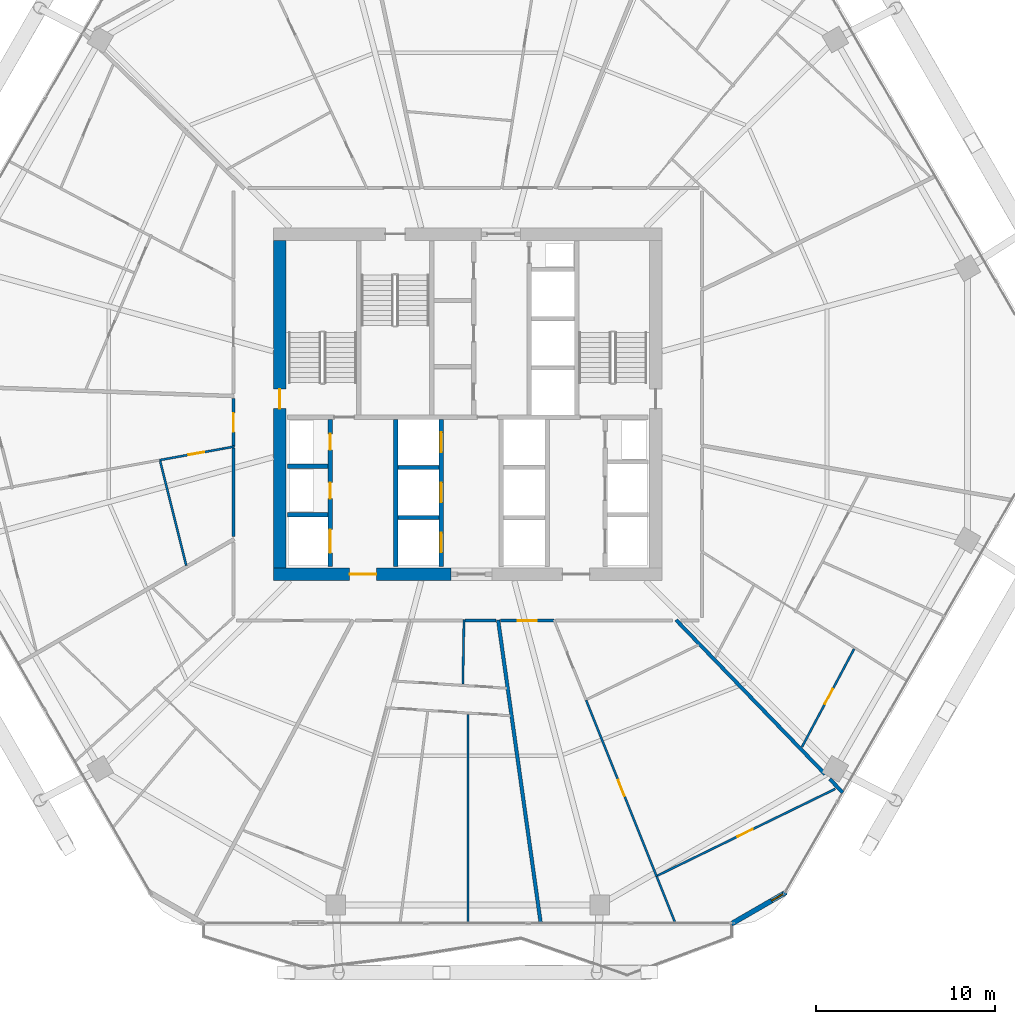
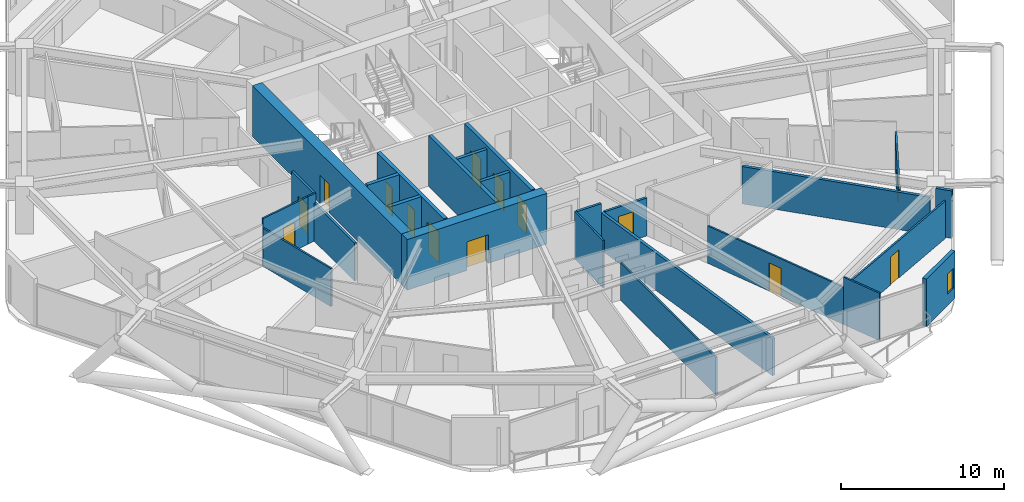
# One storey, part 28 of 35: 26 walls, 14 doors, 1 window, 15 openings.
"""IFC4 building model written with IfcOpenShell, lengths in metres."""

import ifcopenshell
import ifcopenshell.guid

model = None  # the IFC model being written
_history = None  # IfcOwnerHistory: only IFC2X3 demands one
_inside = {}  # id of a spatial element -> (the spatial element, [elements in it])
_under = {}  # id of a project, library or spatial element -> (it, [spatial elements below it])
_declared = {}  # id of a project -> (the project, [libraries it declares])
_typed = {}  # id of a type object -> (the type object, [elements of that type])
_made_of = {}  # id of a material, layer set ... -> (it, [elements and type objects made of it])


def new_model(schema):
    """Start an empty IFC model of exactly this schema.

    Asked for "IFC4X3", IfcOpenShell would pick the latest addendum, in which some entities
    have other attributes; the version numbers below select the first issue.
    IFC2X3 requires an IfcOwnerHistory on every rooted entity: one is made here for all.
    """
    global model, _history
    if schema == "IFC4X3":
        model = ifcopenshell.file(schema_version=(4, 3, 0, 0))
    else:
        model = ifcopenshell.file(schema=schema)
    _inside.clear()
    _under.clear()
    _declared.clear()
    _typed.clear()
    _made_of.clear()
    _history = None
    if model.schema == "IFC2X3":
        org = make("IfcOrganization", Name="unknown")
        user = make(
            "IfcPersonAndOrganization",
            ThePerson=make("IfcPerson", FamilyName="unknown"),
            TheOrganization=org,
        )
        app = make(
            "IfcApplication",
            ApplicationDeveloper=org,
            Version="unknown",
            ApplicationFullName="unknown",
            ApplicationIdentifier="unknown",
        )
        _history = make(
            "IfcOwnerHistory",
            OwningUser=user,
            OwningApplication=app,
            ChangeAction="ADDED",
            CreationDate=0,
        )
    return model


def make(cls, **values):
    """One entity of the class cls with the attributes given. An attribute that is None is left unset."""
    return model.create_entity(
        cls, **{name: value for name, value in values.items() if value is not None}
    )


def rooted(cls, **values):
    """An entity with a GlobalId (a new one), such as an element, a storey or a relation."""
    return make(cls, GlobalId=ifcopenshell.guid.new(), OwnerHistory=_history, **values)


def si_unit(unit_type, name, prefix=None):
    """IfcSIUnit, for example si_unit("LENGTHUNIT", "METRE", prefix="MILLI")."""
    return make("IfcSIUnit", UnitType=unit_type, Prefix=prefix, Name=name)


def assignment(units):
    """IfcUnitAssignment: the units of a project."""
    return None if units is None else make("IfcUnitAssignment", Units=units)


def point(xyz):
    """IfcCartesianPoint."""
    return None if xyz is None else make("IfcCartesianPoint", Coordinates=xyz)


def direction(xyz):
    """IfcDirection."""
    return None if xyz is None else make("IfcDirection", DirectionRatios=xyz)


def frame(location, z_axis=None, x_axis=None):
    """IfcAxis2Placement3D, a coordinate frame: its origin and axes. An axis left out is left unset."""
    return make(
        "IfcAxis2Placement3D",
        Location=point(location),
        Axis=direction(z_axis),
        RefDirection=direction(x_axis),
    )


def frame_2d(location, x_axis=None):
    """IfcAxis2Placement2D, a coordinate frame in the plane: its origin and x axis."""
    return make(
        "IfcAxis2Placement2D", Location=point(location), RefDirection=direction(x_axis)
    )


def origin():
    """The frame at (0, 0, 0) with its axes left unset."""
    return frame((0.0, 0.0, 0.0))


def place(relative_to, where):
    """IfcLocalPlacement: puts the frame where relative to a parent placement (None: the world)."""
    return make(
        "IfcLocalPlacement", PlacementRelTo=relative_to, RelativePlacement=where
    )


def context(
    kind, dimensions, precision=None, world=None, true_north=None, identifier=None
):
    """IfcGeometricRepresentationContext, for example the 3D "Model" context."""
    return make(
        "IfcGeometricRepresentationContext",
        ContextIdentifier=identifier,
        ContextType=kind,
        CoordinateSpaceDimension=dimensions,
        Precision=precision,
        WorldCoordinateSystem=world,
        TrueNorth=true_north,
    )


def subcontext(parent, identifier, kind, view, scale=None):
    """IfcGeometricRepresentationSubContext, for example "Body" below "Model"."""
    return make(
        "IfcGeometricRepresentationSubContext",
        ContextIdentifier=identifier,
        ContextType=kind,
        ParentContext=parent,
        TargetScale=scale,
        TargetView=view,
    )


def project(units=None, contexts=None):
    """IfcProject with its units and contexts."""
    return rooted(
        "IfcProject",
        Name="project",
        RepresentationContexts=contexts,
        UnitsInContext=assignment(units),
    )


def spatial(cls, under=None, at=None, **own):
    """A site, building, storey or space (cls), placed at a placement, below another one or the project."""
    s = rooted(cls, ObjectPlacement=at, **own)
    if under is not None:
        _under.setdefault(under.id(), (under, []))[1].append(s)
    return s


def profile(cls, at=None, kind="AREA", **sizes):
    """A parametric profile (cls). Its sizes go by their IFC names, for example OverallWidth=200.0."""
    return make(cls, ProfileType=kind, Position=at, **sizes)


def rectangle(**sizes):
    """IfcRectangleProfileDef."""
    return profile("IfcRectangleProfileDef", **sizes)


def extrude(swept, where, along, depth):
    """IfcExtrudedAreaSolid: the profile swept, set in the frame where, extruded along a direction by depth."""
    return make(
        "IfcExtrudedAreaSolid",
        SweptArea=swept,
        Position=where,
        ExtrudedDirection=direction(along),
        Depth=depth,
    )


def shape(context_of_items, identifier, shape_type, items):
    """IfcShapeRepresentation: the items that make up one representation, for example the "Body"."""
    return make(
        "IfcShapeRepresentation",
        ContextOfItems=context_of_items,
        RepresentationIdentifier=identifier,
        RepresentationType=shape_type,
        Items=items,
    )


def material(Name=None, Category=None):
    """IfcMaterial."""
    return make("IfcMaterial", Name=Name, Category=Category)


def layer(
    of_material, thickness, ventilated=None, Name=None, Category=None, Priority=None
):
    """IfcMaterialLayer: one layer of a wall or slab, of a material (None: an air gap)."""
    return make(
        "IfcMaterialLayer",
        Material=of_material,
        LayerThickness=thickness,
        IsVentilated=ventilated,
        Name=Name,
        Category=Category,
        Priority=Priority,
    )


def layer_set(layers, Name=None):
    """IfcMaterialLayerSet."""
    return make("IfcMaterialLayerSet", MaterialLayers=layers, LayerSetName=Name)


def made_of(thing, what):
    """Note that an element or type object is made of a material, layer set ...; save() writes the relation."""
    if what is not None:
        _made_of.setdefault(what.id(), (what, []))[1].append(thing)
    return thing


def type_object(cls, material=None, **own):
    """A type object (cls), such as IfcWallType, which elements share."""
    return made_of(rooted(cls, **own), material)


def element(
    cls,
    number,
    at=None,
    inside=None,
    cuts=None,
    type_object=None,
    material=None,
    context=None,
    identifier="Body",
    shape_type=None,
    held_by="IfcProductDefinitionShape",
    body=None,
    shapes=None,
    **own,
):
    """One element of the class cls, such as IfcWall. Its Tag is "e" and its number.

    at: its placement. inside: the storey or other place that contains it. cuts: it is an
    opening in that element (IfcRelVoidsElement). A single representation is given by context,
    identifier, shape_type and body (its items); several are given by shapes. held_by: the class
    of the entity that holds the representations. save() writes the other relations.
    """
    e = rooted(cls, Tag="e%d" % number, ObjectPlacement=at, **own)
    if body is not None:
        shapes = [shape(context, identifier, shape_type, body)]
    if shapes is not None:
        e.Representation = make(held_by, Representations=shapes)
    if inside is not None:
        _inside.setdefault(inside.id(), (inside, []))[1].append(e)
    if cuts is not None:
        rooted(
            "IfcRelVoidsElement", RelatingBuildingElement=cuts, RelatedOpeningElement=e
        )
    if type_object is not None:
        _typed.setdefault(type_object.id(), (type_object, []))[1].append(e)
    return made_of(e, material)


def fill(opening, filler):
    """IfcRelFillsElement: the door or window that sits in an opening."""
    return rooted(
        "IfcRelFillsElement",
        RelatingOpeningElement=opening,
        RelatedBuildingElement=filler,
    )


def aggregate(whole, parts):
    """IfcRelAggregates: a whole, such as a stair, and the parts it consists of."""
    return rooted("IfcRelAggregates", RelatingObject=whole, RelatedObjects=parts)


def save(model, path):
    """Write the relations noted so far, then the file.

    IfcRelAggregates (storeys below a building ...), IfcRelContainedInSpatialStructure (elements
    in a storey), IfcRelDefinesByType, IfcRelAssociatesMaterial and IfcRelDeclares: one each for
    every whole, place, type object, material and project.
    """
    for whole, parts in _under.values():
        aggregate(whole, parts)
    for where, things in _inside.values():
        rooted(
            "IfcRelContainedInSpatialStructure",
            RelatedElements=things,
            RelatingStructure=where,
        )
    for kind, things in _typed.values():
        rooted("IfcRelDefinesByType", RelatedObjects=things, RelatingType=kind)
    for what, things in _made_of.values():
        rooted("IfcRelAssociatesMaterial", RelatedObjects=things, RelatingMaterial=what)
    for by, libraries in _declared.values():
        rooted("IfcRelDeclares", RelatingContext=by, RelatedDefinitions=libraries)
    model.write(path)


model = new_model("IFC4")

# Units and contexts
model_context = context("Model", 3, precision=1e-05, world=origin(), true_north=direction((0.0, 1.0)))
body_context = subcontext(model_context, "Body", "Model", "MODEL_VIEW")
ifc_project = project(units=[si_unit("LENGTHUNIT", "METRE"), si_unit("AREAUNIT", "SQUARE_METRE"), si_unit("VOLUMEUNIT", "CUBIC_METRE"), si_unit("PLANEANGLEUNIT", "RADIAN"), si_unit("MASSUNIT", "GRAM", prefix="KILO")], contexts=[model_context])

# Site, building, storey
site_placement = place(None, origin())
site = spatial("IfcSite", under=ifc_project, at=site_placement, CompositionType="ELEMENT")
building_placement = place(site_placement, origin())
building = spatial("IfcBuilding", under=site, at=building_placement, Name="Zuhravey Tower", CompositionType="ELEMENT")
storey_placement = place(building_placement, frame((0.0, 0.0, 138.0)))
storey = spatial("IfcBuildingStorey", under=building, at=storey_placement, Name="L34", CompositionType="ELEMENT", Elevation=138.0)

# Wall, opening, door
ifc_material_1 = material(Name="Concrete C60/75", Category="concrete")
ifc_layer_1 = layer(ifc_material_1, 0.699951171875)
ifc_layer_set_1 = layer_set([ifc_layer_1], Name="Concrete C60/75")
wall_type_1 = type_object("IfcWallType", Name="Core Shear Wall 700", PredefinedType="SHEAR", material=ifc_layer_set_1)
wall_1_placement = place(storey_placement, frame((25.14990234375, 22.5, 0.0), z_axis=(0.0, 0.0, 1.0), x_axis=(1.0, 0.0, 0.0)))
wall_1 = element("IfcWall", 1, at=wall_1_placement, inside=storey, type_object=wall_type_1, Name="L34 South-West Core Shear Wall CW70", PredefinedType="SHEAR", context=body_context, shape_type="SweptSolid", body=[
    extrude(rectangle(XDim=9.900146484375, YDim=0.699951171875, at=frame_2d((4.9501953125, 0.0))), origin(), (0.0, 0.0, 1.0), 3.800048828125),
])
opening_1_placement = place(wall_1_placement, frame((4.25, 0.0, 0.0)))
opening_1 = element("IfcOpeningElement", 2, at=opening_1_placement, cuts=wall_1, Name="Opening FFD1", PredefinedType="OPENING", context=body_context, shape_type="SweptSolid", body=[
    extrude(rectangle(XDim=1.5, YDim=2.14990234375, at=frame_2d((0.75, 1.074951171875))), frame((0.0, 0.362060546875, 0.0), z_axis=(0.0, -1.0, 0.0), x_axis=(1.0, 0.0, 0.0)), (0.0, 0.0, 1.0), 0.723876953125),
])
ifc_material_2 = material(Name="Galvanised fire-rated steel leaf", Category="steel")
door_type_1 = type_object("IfcDoorType", Name="Firefighting Lobby Double Door 1500x2150", OperationType="DOUBLE_DOOR_SINGLE_SWING", PredefinedType="DOOR", material=ifc_material_2)
door_1_placement = place(opening_1_placement, origin())
door_1 = element("IfcDoor", 3, at=door_1_placement, inside=storey, type_object=door_type_1, Name="L34 Firefighting Lobby West Door", OperationType="DOUBLE_DOOR_SINGLE_SWING", OverallHeight=2.14990234375, OverallWidth=1.5, PredefinedType="DOOR", context=body_context, shape_type="SweptSolid", body=[
    extrude(rectangle(XDim=1.5, YDim=2.14990234375, at=frame_2d((0.75, 1.074951171875))), frame((0.0, 0.02490234375, 0.0), z_axis=(0.0, -1.0, 0.0), x_axis=(1.0, 0.0, 0.0)), (0.0, 0.0, 1.0), 0.050048828125),
])
fill(opening_1, door_1)

wall_2_placement = place(storey_placement, frame((25.5, 22.85009765625, 0.0), z_axis=(0.0, 0.0, 1.0), x_axis=(0.0, 1.0, 0.0)))
wall_2 = element("IfcWall", 4, at=wall_2_placement, inside=storey, type_object=wall_type_1, Name="L34 West Core Shear Wall CW70", PredefinedType="SHEAR", context=body_context, shape_type="SweptSolid", body=[
    extrude(rectangle(XDim=18.2998046875, YDim=0.699951171875, at=frame_2d((9.14990234375, 0.0))), origin(), (0.0, 0.0, 1.0), 3.800048828125),
])
opening_2_placement = place(wall_2_placement, frame((8.89990234375, 0.0, 0.0)))
opening_2 = element("IfcOpeningElement", 5, at=opening_2_placement, cuts=wall_2, Name="Opening STD1", PredefinedType="OPENING", context=body_context, shape_type="SweptSolid", body=[
    extrude(rectangle(XDim=1.10009765625, YDim=2.14990234375, at=frame_2d((0.550048828125, 1.074951171875))), frame((0.0, 0.362060546875, 0.0), z_axis=(0.0, -1.0, 0.0), x_axis=(1.0, 0.0, 0.0)), (0.0, 0.0, 1.0), 0.723876953125),
])
door_type_2 = type_object("IfcDoorType", Name="Protected Stair Fire Door 1100x2150", OperationType="NOTDEFINED", PredefinedType="USERDEFINED", material=ifc_material_2)
door_2_placement = place(opening_2_placement, frame((1.10009765625, 0.0, 0.0), z_axis=(0.0, 0.0, 1.0), x_axis=(-1.0, 0.0, 0.0)))
door_2 = element("IfcDoor", 6, at=door_2_placement, inside=storey, type_object=door_type_2, Name="L34 Stair ST1 Door", ObjectType="EXITDOOR", OperationType="SINGLE_SWING_RIGHT", OverallHeight=2.14990234375, OverallWidth=1.10009765625, PredefinedType="USERDEFINED", context=body_context, shape_type="SweptSolid", body=[
    extrude(rectangle(XDim=1.10009765625, YDim=2.14990234375, at=frame_2d((0.550048828125, 1.074951171875))), frame((0.0, 0.02490234375, 0.0), z_axis=(0.0, -1.0, 0.0), x_axis=(1.0, 0.0, 0.0)), (0.0, 0.0, 1.0), 0.050048828125),
])
fill(opening_2, door_2)

ifc_material_3 = material(Name="Gypsum fire-rated stud partition")
ifc_layer_2 = layer(ifc_material_3, 0.159912109375)
ifc_layer_set_2 = layer_set([ifc_layer_2], Name="Gypsum fire-rated stud partition")
wall_type_2 = type_object("IfcWallType", Name="Corridor Fire Partition 160", PredefinedType="PARTITIONING", material=ifc_layer_set_2)
wall_3_placement = place(storey_placement, frame((22.919921875, 32.322509765625, 0.0), z_axis=(0.0, 0.0, 1.0), x_axis=(0.0, -1.0, 0.0)))
wall_3 = element("IfcWall", 7, at=wall_3_placement, inside=storey, type_object=wall_type_2, Name="L34 IW16 Partition 044", PredefinedType="PARTITIONING", context=body_context, shape_type="SweptSolid", body=[
    extrude(rectangle(XDim=2.674560546875, YDim=0.159912109375, at=frame_2d((1.33740234375, 0.0))), origin(), (0.0, 0.0, 1.0), 3.550048828125),
])
opening_3_placement = place(wall_3_placement, frame((0.812255859375, 0.0, 0.0)))
opening_3 = element("IfcOpeningElement", 8, at=opening_3_placement, cuts=wall_3, Name="Opening APD1", PredefinedType="OPENING", context=body_context, shape_type="SweptSolid", body=[
    extrude(rectangle(XDim=1.050048828125, YDim=2.14990234375, at=frame_2d((0.52490234375, 1.074951171875))), frame((0.0, 0.092041015625, 0.0), z_axis=(0.0, -1.0, 0.0), x_axis=(1.0, 0.0, 0.0)), (0.0, 0.0, 1.0), 0.183837890625),
])
ifc_material_4 = material(Name="Solid-core oak fire-rated leaf")
door_type_3 = type_object("IfcDoorType", Name="Apartment Entrance Fire Door 1050x2150", OperationType="NOTDEFINED", PredefinedType="DOOR", material=ifc_material_4)
door_3_placement = place(opening_3_placement, frame((1.050048828125, 0.0, 0.0), z_axis=(0.0, 0.0, 1.0), x_axis=(-1.0, 0.0, 0.0)))
door_3 = element("IfcDoor", 9, at=door_3_placement, inside=storey, type_object=door_type_3, Name="L34 Door 044.1", OperationType="SINGLE_SWING_LEFT", OverallHeight=2.14990234375, OverallWidth=1.050048828125, PredefinedType="DOOR", context=body_context, shape_type="SweptSolid", body=[
    extrude(rectangle(XDim=1.050048828125, YDim=2.14990234375, at=frame_2d((0.52490234375, 1.074951171875))), frame((0.0, 0.02490234375, 0.0), z_axis=(0.0, -1.0, 0.0), x_axis=(1.0, 0.0, 0.0)), (0.0, 0.0, 1.0), 0.050048828125),
])
fill(opening_3, door_3)

wall_4_placement = place(storey_placement, frame((37.82568359375, 19.919921875, 0.0), z_axis=(0.0, 0.0, 1.0), x_axis=(1.0, 0.0, 0.0)))
wall_4 = element("IfcWall", 10, at=wall_4_placement, inside=storey, type_object=wall_type_2, Name="L34 IW16 Partition 058", PredefinedType="PARTITIONING", context=body_context, shape_type="SweptSolid", body=[
    extrude(rectangle(XDim=2.984375, YDim=0.159912109375, at=frame_2d((1.4921875, 0.0))), origin(), (0.0, 0.0, 1.0), 2.85009765625),
])
opening_4_placement = place(wall_4_placement, frame((0.96728515625, 0.0, 0.0)))
opening_4 = element("IfcOpeningElement", 11, at=opening_4_placement, cuts=wall_4, Name="Opening APD1", PredefinedType="OPENING", context=body_context, shape_type="SweptSolid", body=[
    extrude(rectangle(XDim=1.050048828125, YDim=2.14990234375, at=frame_2d((0.52490234375, 1.074951171875))), frame((0.0, 0.092041015625, 0.0), z_axis=(0.0, -1.0, 0.0), x_axis=(1.0, 0.0, 0.0)), (0.0, 0.0, 1.0), 0.183837890625),
])
door_4_placement = place(opening_4_placement, frame((1.050048828125, 0.0, 0.0), z_axis=(0.0, 0.0, 1.0), x_axis=(-1.0, 0.0, 0.0)))
door_4 = element("IfcDoor", 12, at=door_4_placement, inside=storey, type_object=door_type_3, Name="L34 Door 058.1", OperationType="SINGLE_SWING_RIGHT", OverallHeight=2.14990234375, OverallWidth=1.050048828125, PredefinedType="DOOR", context=body_context, shape_type="SweptSolid", body=[
    extrude(rectangle(XDim=1.050048828125, YDim=2.14990234375, at=frame_2d((0.52490234375, 1.074951171875))), frame((0.0, 0.02490234375, 0.0), z_axis=(0.0, -1.0, 0.0), x_axis=(1.0, 0.0, 0.0)), (0.0, 0.0, 1.0), 0.050048828125),
])
fill(opening_4, door_4)

# Walls
wall_5_placement = place(storey_placement, frame((22.919921875, 29.55859375, 0.0), z_axis=(0.0, 0.0, 1.0), x_axis=(0.0, -1.0, 0.0)))
element("IfcWall", 13, at=wall_5_placement, inside=storey, type_object=wall_type_2, Name="L34 IW16 Partition 126", PredefinedType="PARTITIONING", context=body_context, shape_type="SweptSolid", body=[
    extrude(rectangle(XDim=4.935791015625, YDim=0.159912109375, at=frame_2d((2.4677734375, 0.0))), origin(), (0.0, 0.0, 1.0), 2.85009765625),
])
wall_6_placement = place(storey_placement, frame((35.8544921875, 19.919921875, 0.0), z_axis=(0.0, 0.0, 1.0), x_axis=(1.0, 0.0, 0.0)))
element("IfcWall", 14, at=wall_6_placement, inside=storey, type_object=wall_type_2, Name="L34 IW16 Partition 129", PredefinedType="PARTITIONING", context=body_context, shape_type="SweptSolid", body=[
    extrude(rectangle(XDim=1.7158203125, YDim=0.159912109375, at=frame_2d((0.85791015625, 0.0))), origin(), (0.0, 0.0, 1.0), 3.550048828125),
])

# Wall, opening, window
ifc_material_5 = material(Name="Precast concrete C40/50", Category="concrete")
ifc_layer_3 = layer(ifc_material_5, 0.280029296875)
ifc_layer_set_3 = layer_set([ifc_layer_3], Name="Precast concrete C40/50")
wall_type_3 = type_object("IfcWallType", Name="Crown Architectural Wall 280", PredefinedType="SOLIDWALL", material=ifc_layer_set_3)
wall_7_placement = place(storey_placement, frame((53.76123046875, 4.75146484375, 0.0), z_axis=(0.0, 0.0, 1.0), x_axis=(-0.866007452331, -0.500031091541, 0.0)))
wall_7 = element("IfcWall", 15, at=wall_7_placement, inside=storey, type_object=wall_type_3, Name="L34 Rounded Corner Closure Wall EW28-02", PredefinedType="SOLIDWALL", context=body_context, shape_type="SweptSolid", body=[
    extrude(rectangle(XDim=3.514892578125, YDim=0.280029296875, at=frame_2d((1.75732421875, 0.0))), origin(), (0.0, 0.0, 1.0), 3.550048828125),
])
opening_5_placement = place(wall_7_placement, frame((0.18212890625, 0.0, 0.85009765625)))
opening_5 = element("IfcOpeningElement", 16, at=opening_5_placement, cuts=wall_7, Name="Opening WN5", PredefinedType="OPENING", context=body_context, shape_type="SweptSolid", body=[
    extrude(rectangle(XDim=0.75, YDim=1.5, at=frame_2d((0.375, 0.75))), frame((0.0, 0.152099609375, 0.0), z_axis=(0.0, -1.0, 0.0), x_axis=(1.0, 0.0, 0.0)), (0.0, 0.0, 1.0), 0.303955078125),
])
ifc_material_6 = material(Name="Thermally broken aluminium and triple low-E glass", Category="aluminium")
window_type = type_object("IfcWindowType", Name="Residential Corner Casement Window 750x1500", PartitioningType="SINGLE_PANEL", PredefinedType="WINDOW", material=ifc_material_6)
window_placement = place(opening_5_placement, origin())
window = element("IfcWindow", 17, at=window_placement, inside=storey, type_object=window_type, Name="L34 Corner Casement Window WN5-02.1", OverallHeight=1.5, OverallWidth=0.75, PartitioningType="SINGLE_PANEL", PredefinedType="WINDOW", context=body_context, shape_type="SweptSolid", body=[
    extrude(rectangle(XDim=0.75, YDim=1.5, at=frame_2d((0.375, 0.75))), frame((0.0, 0.030029296875, 0.0), z_axis=(0.0, -1.0, 0.0), x_axis=(1.0, 0.0, 0.0)), (0.0, 0.0, 1.0), 0.06005859375),
])
fill(opening_5, window)

# Walls
ifc_material_7 = material(Name="Concrete C50/60", Category="concrete")
ifc_layer_4 = layer(ifc_material_7, 0.25)
ifc_layer_set_4 = layer_set([ifc_layer_4], Name="Concrete C50/60")
wall_type_4 = type_object("IfcWallType", Name="Firefighting Shaft & Stair Wall 250", PredefinedType="SOLIDWALL", material=ifc_layer_set_4)
for number, where, z_axis, x_axis, name in (
    (18, (25.949951171875, 25.824951171875, 0.0), (0.0, 0.0, 1.0), (1.0, 0.0, 0.0), "L34 FW25 Shaft Wall 009"),
    (19, (25.949951171875, 28.52490234375, 0.0), (0.0, 0.0, 1.0), (1.0, 0.0, 0.0), "L34 FW25 Shaft Wall 010"),
):
    element("IfcWall", number, at=place(storey_placement, frame(where, z_axis=z_axis, x_axis=x_axis)), inside=storey, type_object=wall_type_4, Name=name, PredefinedType="SOLIDWALL", context=body_context, shape_type="SweptSolid", body=[
        extrude(rectangle(XDim=2.25, YDim=0.25, at=frame_2d((1.125, 0.0))), origin(), (0.0, 0.0, 1.0), 3.800048828125),
    ])

# Wall, openings, doors
wall_8_placement = place(storey_placement, frame((28.324951171875, 22.949951171875, 0.0), z_axis=(0.0, 0.0, 1.0), x_axis=(0.0, 1.0, 0.0)))
wall_8 = element("IfcWall", 20, at=wall_8_placement, inside=storey, type_object=wall_type_4, Name="L34 FW25 Shaft Wall 011", PredefinedType="SOLIDWALL", context=body_context, shape_type="SweptSolid", body=[
    extrude(rectangle(XDim=8.199951171875, YDim=0.25, at=frame_2d((4.10009765625, 0.0))), origin(), (0.0, 0.0, 1.0), 3.800048828125),
])
opening_6_placement = place(wall_8_placement, frame((0.75, 0.0, 0.0)))
opening_6 = element("IfcOpeningElement", 21, at=opening_6_placement, cuts=wall_8, Name="Opening LD2", PredefinedType="OPENING", context=body_context, shape_type="SweptSolid", body=[
    extrude(rectangle(XDim=1.300048828125, YDim=2.300048828125, at=frame_2d((0.64990234375, 1.14990234375))), frame((0.0, 0.136962890625, 0.0), z_axis=(0.0, -1.0, 0.0), x_axis=(1.0, 0.0, 0.0)), (0.0, 0.0, 1.0), 0.27392578125),
])
opening_7_placement = place(wall_8_placement, frame((3.780029296875, 0.0, 0.0)))
opening_7 = element("IfcOpeningElement", 22, at=opening_7_placement, cuts=wall_8, Name="Opening RSD1", PredefinedType="OPENING", context=body_context, shape_type="SweptSolid", body=[
    extrude(rectangle(XDim=0.89990234375, YDim=2.10009765625, at=frame_2d((0.449951171875, 1.050048828125))), frame((0.0, 0.136962890625, 0.0), z_axis=(0.0, -1.0, 0.0), x_axis=(1.0, 0.0, 0.0)), (0.0, 0.0, 1.0), 0.27392578125),
])
opening_8_placement = place(wall_8_placement, frame((6.5, 0.0, 0.0)))
opening_8 = element("IfcOpeningElement", 23, at=opening_8_placement, cuts=wall_8, Name="Opening RSD1", PredefinedType="OPENING", context=body_context, shape_type="SweptSolid", body=[
    extrude(rectangle(XDim=0.89990234375, YDim=2.10009765625, at=frame_2d((0.449951171875, 1.050048828125))), frame((0.0, 0.136962890625, 0.0), z_axis=(0.0, -1.0, 0.0), x_axis=(1.0, 0.0, 0.0)), (0.0, 0.0, 1.0), 0.27392578125),
])
ifc_material_8 = material(Name="Brushed stainless steel", Category="steel")
door_type_4 = type_object("IfcDoorType", Name="Freight & Stretcher Lift Sliding Door 1300x2300", OperationType="DOUBLE_DOOR_SLIDING", PredefinedType="DOOR", material=ifc_material_8)
door_5_placement = place(opening_6_placement, frame((1.300048828125, 0.0, 0.0), z_axis=(0.0, 0.0, 1.0), x_axis=(-1.0, 0.0, 0.0)))
door_5 = element("IfcDoor", 24, at=door_5_placement, inside=storey, type_object=door_type_4, Name="L34 Lift FF1 Landing Door", OperationType="DOUBLE_DOOR_SLIDING", OverallHeight=2.300048828125, OverallWidth=1.300048828125, PredefinedType="DOOR", context=body_context, shape_type="SweptSolid", body=[
    extrude(rectangle(XDim=1.300048828125, YDim=2.300048828125, at=frame_2d((0.64990234375, 1.14990234375))), frame((0.0, 0.02490234375, 0.0), z_axis=(0.0, -1.0, 0.0), x_axis=(1.0, 0.0, 0.0)), (0.0, 0.0, 1.0), 0.050048828125),
])
fill(opening_6, door_5)
ifc_material_9 = material(Name="Galvanised fire-rated steel access leaf", Category="steel")
door_type_5 = type_object("IfcDoorType", Name="Riser & Shaft Access Fire Door 900x2100", OperationType="NOTDEFINED", PredefinedType="DOOR", material=ifc_material_9)
door_6_placement = place(opening_7_placement, frame((0.89990234375, 0.0, 0.0), z_axis=(0.0, 0.0, 1.0), x_axis=(-1.0, 0.0, 0.0)))
door_6 = element("IfcDoor", 25, at=door_6_placement, inside=storey, type_object=door_type_5, Name="L34 Electrical Riser Door", OperationType="SINGLE_SWING_RIGHT", OverallHeight=2.10009765625, OverallWidth=0.89990234375, PredefinedType="DOOR", context=body_context, shape_type="SweptSolid", body=[
    extrude(rectangle(XDim=0.89990234375, YDim=2.10009765625, at=frame_2d((0.449951171875, 1.050048828125))), frame((0.0, 0.02490234375, 0.0), z_axis=(0.0, -1.0, 0.0), x_axis=(1.0, 0.0, 0.0)), (0.0, 0.0, 1.0), 0.050048828125),
])
fill(opening_7, door_6)
door_7_placement = place(opening_8_placement, frame((0.89990234375, 0.0, 0.0), z_axis=(0.0, 0.0, 1.0), x_axis=(-1.0, 0.0, 0.0)))
door_7 = element("IfcDoor", 26, at=door_7_placement, inside=storey, type_object=door_type_5, Name="L34 Smoke Shaft Access Door", OperationType="SINGLE_SWING_LEFT", OverallHeight=2.10009765625, OverallWidth=0.89990234375, PredefinedType="DOOR", context=body_context, shape_type="SweptSolid", body=[
    extrude(rectangle(XDim=0.89990234375, YDim=2.10009765625, at=frame_2d((0.449951171875, 1.050048828125))), frame((0.0, 0.02490234375, 0.0), z_axis=(0.0, -1.0, 0.0), x_axis=(1.0, 0.0, 0.0)), (0.0, 0.0, 1.0), 0.050048828125),
])
fill(opening_8, door_7)

# Wall
wall_9_placement = place(storey_placement, frame((31.97509765625, 22.949951171875, 0.0), z_axis=(0.0, 0.0, 1.0), x_axis=(0.0, 1.0, 0.0)))
element("IfcWall", 27, at=wall_9_placement, inside=storey, type_object=wall_type_4, Name="L34 FW25 Shaft Wall 012", PredefinedType="SOLIDWALL", context=body_context, shape_type="SweptSolid", body=[
    extrude(rectangle(XDim=8.199951171875, YDim=0.25, at=frame_2d((4.10009765625, 0.0))), origin(), (0.0, 0.0, 1.0), 3.800048828125),
])

# Wall, openings, doors
wall_10_placement = place(storey_placement, frame((34.52490234375, 22.949951171875, 0.0), z_axis=(0.0, 0.0, 1.0), x_axis=(0.0, 1.0, 0.0)))
wall_10 = element("IfcWall", 28, at=wall_10_placement, inside=storey, type_object=wall_type_4, Name="L34 FW25 Shaft Wall 013", PredefinedType="SOLIDWALL", context=body_context, shape_type="SweptSolid", body=[
    extrude(rectangle(XDim=8.199951171875, YDim=0.25, at=frame_2d((4.10009765625, 0.0))), origin(), (0.0, 0.0, 1.0), 3.800048828125),
])
opening_9_placement = place(wall_10_placement, frame((0.77490234375, 0.0, 0.0)))
opening_9 = element("IfcOpeningElement", 29, at=opening_9_placement, cuts=wall_10, Name="Opening LD1", PredefinedType="OPENING", context=body_context, shape_type="SweptSolid", body=[
    extrude(rectangle(XDim=1.10009765625, YDim=2.199951171875, at=frame_2d((0.550048828125, 1.10009765625))), frame((0.0, 0.136962890625, 0.0), z_axis=(0.0, -1.0, 0.0), x_axis=(1.0, 0.0, 0.0)), (0.0, 0.0, 1.0), 0.27392578125),
])
opening_10_placement = place(wall_10_placement, frame((3.574951171875, 0.0, 0.0)))
opening_10 = element("IfcOpeningElement", 30, at=opening_10_placement, cuts=wall_10, Name="Opening LD1", PredefinedType="OPENING", context=body_context, shape_type="SweptSolid", body=[
    extrude(rectangle(XDim=1.10009765625, YDim=2.199951171875, at=frame_2d((0.550048828125, 1.10009765625))), frame((0.0, 0.136962890625, 0.0), z_axis=(0.0, -1.0, 0.0), x_axis=(1.0, 0.0, 0.0)), (0.0, 0.0, 1.0), 0.27392578125),
])
opening_11_placement = place(wall_10_placement, frame((6.375, 0.0, 0.0)))
opening_11 = element("IfcOpeningElement", 31, at=opening_11_placement, cuts=wall_10, Name="Opening LD1", PredefinedType="OPENING", context=body_context, shape_type="SweptSolid", body=[
    extrude(rectangle(XDim=1.10009765625, YDim=2.199951171875, at=frame_2d((0.550048828125, 1.10009765625))), frame((0.0, 0.136962890625, 0.0), z_axis=(0.0, -1.0, 0.0), x_axis=(1.0, 0.0, 0.0)), (0.0, 0.0, 1.0), 0.27392578125),
])
door_type_6 = type_object("IfcDoorType", Name="Lift Landing Sliding Door 1100x2200", OperationType="DOUBLE_DOOR_SLIDING", PredefinedType="DOOR", material=ifc_material_8)
door_8_placement = place(opening_9_placement, frame((1.10009765625, 0.0, 0.0), z_axis=(0.0, 0.0, 1.0), x_axis=(-1.0, 0.0, 0.0)))
door_8 = element("IfcDoor", 32, at=door_8_placement, inside=storey, type_object=door_type_6, Name="L34 Lift PL1 Landing Door", OperationType="DOUBLE_DOOR_SLIDING", OverallHeight=2.199951171875, OverallWidth=1.10009765625, PredefinedType="DOOR", context=body_context, shape_type="SweptSolid", body=[
    extrude(rectangle(XDim=1.10009765625, YDim=2.199951171875, at=frame_2d((0.550048828125, 1.10009765625))), frame((0.0, 0.02490234375, 0.0), z_axis=(0.0, -1.0, 0.0), x_axis=(1.0, 0.0, 0.0)), (0.0, 0.0, 1.0), 0.050048828125),
])
fill(opening_9, door_8)
door_9_placement = place(opening_10_placement, frame((1.10009765625, 0.0, 0.0), z_axis=(0.0, 0.0, 1.0), x_axis=(-1.0, 0.0, 0.0)))
door_9 = element("IfcDoor", 33, at=door_9_placement, inside=storey, type_object=door_type_6, Name="L34 Lift PL2 Landing Door", OperationType="DOUBLE_DOOR_SLIDING", OverallHeight=2.199951171875, OverallWidth=1.10009765625, PredefinedType="DOOR", context=body_context, shape_type="SweptSolid", body=[
    extrude(rectangle(XDim=1.10009765625, YDim=2.199951171875, at=frame_2d((0.550048828125, 1.10009765625))), frame((0.0, 0.02490234375, 0.0), z_axis=(0.0, -1.0, 0.0), x_axis=(1.0, 0.0, 0.0)), (0.0, 0.0, 1.0), 0.050048828125),
])
fill(opening_10, door_9)
door_10_placement = place(opening_11_placement, frame((1.10009765625, 0.0, 0.0), z_axis=(0.0, 0.0, 1.0), x_axis=(-1.0, 0.0, 0.0)))
door_10 = element("IfcDoor", 34, at=door_10_placement, inside=storey, type_object=door_type_6, Name="L34 Lift PL3 Landing Door", OperationType="DOUBLE_DOOR_SLIDING", OverallHeight=2.199951171875, OverallWidth=1.10009765625, PredefinedType="DOOR", context=body_context, shape_type="SweptSolid", body=[
    extrude(rectangle(XDim=1.10009765625, YDim=2.199951171875, at=frame_2d((0.550048828125, 1.10009765625))), frame((0.0, 0.02490234375, 0.0), z_axis=(0.0, -1.0, 0.0), x_axis=(1.0, 0.0, 0.0)), (0.0, 0.0, 1.0), 0.050048828125),
])
fill(opening_11, door_10)

# Walls
ifc_material_10 = material(Name="Gypsum double-stud party assembly")
ifc_layer_5 = layer(ifc_material_10, 0.199951171875)
ifc_layer_set_5 = layer_set([ifc_layer_5], Name="Gypsum double-stud party assembly")
wall_type_5 = type_object("IfcWallType", Name="Inter-Tenancy Party Wall 200", PredefinedType="PARTITIONING", material=ifc_layer_set_5)
wall_11_placement = place(storey_placement, frame((37.692138671875, 19.9599609375, 0.0), z_axis=(0.0, 0.0, 1.0), x_axis=(0.139170315648, -0.990268460188, 0.0)))
element("IfcWall", 35, at=wall_11_placement, inside=storey, type_object=wall_type_5, Name="L34 IW20 Partition 110", PredefinedType="PARTITIONING", context=body_context, shape_type="SweptSolid", body=[
    extrude(rectangle(XDim=17.084716796875, YDim=0.199951171875, at=frame_2d((8.54248046875, 0.0))), origin(), (0.0, 0.0, 1.0), 2.800048828125),
])
wall_12_placement = place(storey_placement, frame((47.626953125, 19.9599609375, 0.0), z_axis=(0.0, 0.0, 1.0), x_axis=(0.694659610847, -0.719338602508, 0.0)))
element("IfcWall", 36, at=wall_12_placement, inside=storey, type_object=wall_type_5, Name="L34 IW20 Partition 114", PredefinedType="PARTITIONING", context=body_context, shape_type="SweptSolid", body=[
    extrude(rectangle(XDim=11.97998046875, YDim=0.199951171875, at=frame_2d((5.989990234375, 0.0))), origin(), (0.0, 0.0, 1.0), 2.800048828125),
])
wall_13_placement = place(storey_placement, frame((56.208984375, 11.072998046875, 0.0), z_axis=(0.0, 0.0, 1.0), x_axis=(0.694716755503, -0.719283413977, 0.0)))
element("IfcWall", 37, at=wall_13_placement, inside=storey, type_object=wall_type_5, Name="L34 IW20 Partition 115", PredefinedType="PARTITIONING", context=body_context, shape_type="SweptSolid", body=[
    extrude(rectangle(XDim=1.033447265625, YDim=0.199951171875, at=frame_2d((0.5166015625, 0.0))), origin(), (0.0, 0.0, 1.0), 3.550048828125),
])
ifc_material_11 = material(Name="Gypsum acoustic stud assembly")
ifc_layer_6 = layer(ifc_material_11, 0.219970703125)
ifc_layer_set_6 = layer_set([ifc_layer_6], Name="Gypsum acoustic stud assembly")
wall_type_6 = type_object("IfcWallType", Name="School Acoustic Compartment Wall 220", PredefinedType="PARTITIONING", material=ifc_layer_set_6)
for number, where, z_axis, x_axis, name in (
    (38, (32.10791015625, 25.675048828125, 0.0), (0.0, 0.0, 1.0), (1.0, 0.0, 0.0), "L34 IW22 Partition 071"),
    (39, (32.10791015625, 28.47509765625, 0.0), (0.0, 0.0, 1.0), (1.0, 0.0, 0.0), "L34 IW22 Partition 072"),
):
    element("IfcWall", number, at=place(storey_placement, frame(where, z_axis=z_axis, x_axis=x_axis)), inside=storey, type_object=wall_type_6, Name=name, PredefinedType="PARTITIONING", context=body_context, shape_type="SweptSolid", body=[
        extrude(rectangle(XDim=2.2841796875, YDim=0.219970703125, at=frame_2d((1.14208984375, 0.0))), origin(), (0.0, 0.0, 1.0), 3.550048828125),
    ])

# Wall, opening, door
ifc_material_12 = material(Name="Gypsum metal-stud partition")
ifc_layer_7 = layer(ifc_material_12, 0.1201171875)
ifc_layer_set_7 = layer_set([ifc_layer_7], Name="Gypsum metal-stud partition")
wall_type_7 = type_object("IfcWallType", Name="Unit Internal Partition 120", PredefinedType="PARTITIONING", material=ifc_layer_set_7)
wall_14_placement = place(storey_placement, frame((22.35009765625, 29.5244140625, 0.0), z_axis=(0.0, 0.0, 1.0), x_axis=(-0.98394216941, -0.178487554906, 0.0)))
wall_14 = element("IfcWall", 40, at=wall_14_placement, inside=storey, type_object=wall_type_7, Name="L34 IW12 Partition 040", PredefinedType="PARTITIONING", context=body_context, shape_type="SweptSolid", body=[
    extrude(rectangle(XDim=3.617919921875, YDim=0.1201171875, at=frame_2d((1.80908203125, 0.0))), origin(), (0.0, 0.0, 1.0), 3.550048828125),
])
opening_12_placement = place(wall_14_placement, frame((1.069580078125, 0.0, 0.0)))
opening_12 = element("IfcOpeningElement", 41, at=opening_12_placement, cuts=wall_14, Name="Opening WCD1", PredefinedType="OPENING", context=body_context, shape_type="SweptSolid", body=[
    extrude(rectangle(XDim=0.89990234375, YDim=2.10009765625, at=frame_2d((0.449951171875, 1.050048828125))), frame((0.0, 0.072021484375, 0.0), z_axis=(0.0, -1.0, 0.0), x_axis=(1.0, 0.0, 0.0)), (0.0, 0.0, 1.0), 0.14404296875),
])
ifc_material_13 = material(Name="Moisture-resistant timber leaf", Category="wood")
door_type_7 = type_object("IfcDoorType", Name="Bathroom & WC Internal Door 900x2100", OperationType="NOTDEFINED", PredefinedType="DOOR", material=ifc_material_13)
door_11_placement = place(opening_12_placement, origin())
door_11 = element("IfcDoor", 42, at=door_11_placement, inside=storey, type_object=door_type_7, Name="Apartment L34-05 Bathroom Door", OperationType="SINGLE_SWING_RIGHT", OverallHeight=2.10009765625, OverallWidth=0.89990234375, PredefinedType="DOOR", context=body_context, shape_type="SweptSolid", body=[
    extrude(rectangle(XDim=0.89990234375, YDim=2.10009765625, at=frame_2d((0.449951171875, 1.050048828125))), frame((0.0, 0.02490234375, 0.0), z_axis=(0.0, -1.0, 0.0), x_axis=(1.0, 0.0, 0.0)), (0.0, 0.0, 1.0), 0.050048828125),
])
fill(opening_12, door_11)

wall_15_placement = place(storey_placement, frame((42.6083984375, 15.477783203125, 0.0), z_axis=(0.0, 0.0, 1.0), x_axis=(0.371370817249, -0.928484634281, 0.0)))
wall_15 = element("IfcWall", 43, at=wall_15_placement, inside=storey, type_object=wall_type_7, Name="L34 IW12 Partition 056", PredefinedType="PARTITIONING", context=body_context, shape_type="SweptSolid", body=[
    extrude(rectangle(XDim=10.597900390625, YDim=0.1201171875, at=frame_2d((5.298828125, 0.0))), origin(), (0.0, 0.0, 1.0), 2.800048828125),
])
opening_13_placement = place(wall_15_placement, frame((4.799072265625, 0.0, 0.0)))
opening_13 = element("IfcOpeningElement", 44, at=opening_13_placement, cuts=wall_15, Name="Opening IND1", PredefinedType="OPENING", context=body_context, shape_type="SweptSolid", body=[
    extrude(rectangle(XDim=0.949951171875, YDim=2.10009765625, at=frame_2d((0.47509765625, 1.050048828125))), frame((0.0, 0.072021484375, 0.0), z_axis=(0.0, -1.0, 0.0), x_axis=(1.0, 0.0, 0.0)), (0.0, 0.0, 1.0), 0.14404296875),
])
ifc_material_14 = material(Name="Painted engineered timber leaf", Category="wood")
door_type_8 = type_object("IfcDoorType", Name="Internal Room & Bedroom Door 950x2100", OperationType="NOTDEFINED", PredefinedType="DOOR", material=ifc_material_14)
door_12_placement = place(opening_13_placement, origin())
door_12 = element("IfcDoor", 45, at=door_12_placement, inside=storey, type_object=door_type_8, Name="Apartment L34-08 Home Office Door", OperationType="SINGLE_SWING_RIGHT", OverallHeight=2.10009765625, OverallWidth=0.949951171875, PredefinedType="DOOR", context=body_context, shape_type="SweptSolid", body=[
    extrude(rectangle(XDim=0.949951171875, YDim=2.10009765625, at=frame_2d((0.47509765625, 1.050048828125))), frame((0.0, 0.02490234375, 0.0), z_axis=(0.0, -1.0, 0.0), x_axis=(1.0, 0.0, 0.0)), (0.0, 0.0, 1.0), 0.050048828125),
])
fill(opening_13, door_12)

wall_16_placement = place(storey_placement, frame((46.59619140625, 5.690673828125, 0.0), z_axis=(0.0, 0.0, 1.0), x_axis=(0.898799700949, 0.438359552848, 0.0)))
wall_16 = element("IfcWall", 46, at=wall_16_placement, inside=storey, type_object=wall_type_7, Name="L34 IW12 Partition 057", PredefinedType="PARTITIONING", context=body_context, shape_type="SweptSolid", body=[
    extrude(rectangle(XDim=11.03466796875, YDim=0.1201171875, at=frame_2d((5.517333984375, 0.0))), origin(), (0.0, 0.0, 1.0), 2.800048828125),
])
opening_14_placement = place(wall_16_placement, frame((4.9580078125, 0.0, 0.0)))
opening_14 = element("IfcOpeningElement", 47, at=opening_14_placement, cuts=wall_16, Name="Opening IND1", PredefinedType="OPENING", context=body_context, shape_type="SweptSolid", body=[
    extrude(rectangle(XDim=0.949951171875, YDim=2.10009765625, at=frame_2d((0.47509765625, 1.050048828125))), frame((0.0, 0.072021484375, 0.0), z_axis=(0.0, -1.0, 0.0), x_axis=(1.0, 0.0, 0.0)), (0.0, 0.0, 1.0), 0.14404296875),
])
door_13_placement = place(opening_14_placement, frame((0.949951171875, 0.0, 0.0), z_axis=(0.0, 0.0, 1.0), x_axis=(-1.0, 0.0, 0.0)))
door_13 = element("IfcDoor", 48, at=door_13_placement, inside=storey, type_object=door_type_8, Name="Apartment L34-08 Bedroom 1 Door", OperationType="SINGLE_SWING_LEFT", OverallHeight=2.10009765625, OverallWidth=0.949951171875, PredefinedType="DOOR", context=body_context, shape_type="SweptSolid", body=[
    extrude(rectangle(XDim=0.949951171875, YDim=2.10009765625, at=frame_2d((0.47509765625, 1.050048828125))), frame((0.0, 0.02490234375, 0.0), z_axis=(0.0, -1.0, 0.0), x_axis=(1.0, 0.0, 0.0)), (0.0, 0.0, 1.0), 0.050048828125),
])
fill(opening_14, door_13)

wall_17_placement = place(storey_placement, frame((54.656982421875, 12.871826171875, 0.0), z_axis=(0.0, 0.0, 1.0), x_axis=(0.469450167382, 0.882958968664, 0.0)))
wall_17 = element("IfcWall", 49, at=wall_17_placement, inside=storey, type_object=wall_type_7, Name="L34 IW12 Partition 063", PredefinedType="PARTITIONING", context=body_context, shape_type="SweptSolid", body=[
    extrude(rectangle(XDim=6.19287109375, YDim=0.1201171875, at=frame_2d((3.096435546875, 0.0))), origin(), (0.0, 0.0, 1.0), 2.85009765625),
])
opening_15_placement = place(wall_17_placement, frame((2.70556640625, 0.0, 0.0)))
opening_15 = element("IfcOpeningElement", 50, at=opening_15_placement, cuts=wall_17, Name="Opening IND1", PredefinedType="OPENING", context=body_context, shape_type="SweptSolid", body=[
    extrude(rectangle(XDim=0.949951171875, YDim=2.10009765625, at=frame_2d((0.47509765625, 1.050048828125))), frame((0.0, 0.072021484375, 0.0), z_axis=(0.0, -1.0, 0.0), x_axis=(1.0, 0.0, 0.0)), (0.0, 0.0, 1.0), 0.14404296875),
])
door_14_placement = place(opening_15_placement, frame((0.949951171875, 0.0, 0.0), z_axis=(0.0, 0.0, 1.0), x_axis=(-1.0, 0.0, 0.0)))
door_14 = element("IfcDoor", 51, at=door_14_placement, inside=storey, type_object=door_type_8, Name="Apartment L34-09 Bedroom 1 Door", OperationType="SINGLE_SWING_LEFT", OverallHeight=2.10009765625, OverallWidth=0.949951171875, PredefinedType="DOOR", context=body_context, shape_type="SweptSolid", body=[
    extrude(rectangle(XDim=0.949951171875, YDim=2.10009765625, at=frame_2d((0.47509765625, 1.050048828125))), frame((0.0, 0.02490234375, 0.0), z_axis=(0.0, -1.0, 0.0), x_axis=(1.0, 0.0, 0.0)), (0.0, 0.0, 1.0), 0.050048828125),
])
fill(opening_15, door_14)

# Walls
wall_18_placement = place(storey_placement, frame((22.964599609375, 29.6357421875, 0.0), z_axis=(0.0, 0.0, 1.0), x_axis=(-0.983982304382, -0.178266162415, 0.0)))
element("IfcWall", 52, at=wall_18_placement, inside=storey, type_object=wall_type_7, Name="L34 IW12 Partition 095", PredefinedType="PARTITIONING", context=body_context, shape_type="SweptSolid", body=[
    extrude(rectangle(XDim=0.62451171875, YDim=0.1201171875, at=frame_2d((0.312255859375, 0.0))), origin(), (0.0, 0.0, 1.0), 3.550048828125),
])
wall_19_placement = place(storey_placement, frame((18.831298828125, 28.81689453125, 0.0), z_axis=(0.0, 0.0, 1.0), x_axis=(0.241942185328, -0.970290667253, 0.0)))
element("IfcWall", 53, at=wall_19_placement, inside=storey, type_object=wall_type_7, Name="L34 IW12 Partition 097", PredefinedType="PARTITIONING", context=body_context, shape_type="SweptSolid", body=[
    extrude(rectangle(XDim=6.001953125, YDim=0.1201171875, at=frame_2d((3.0009765625, 0.0))), origin(), (0.0, 0.0, 1.0), 2.85009765625),
])
wall_20_placement = place(storey_placement, frame((35.78759765625, 19.969970703125, 0.0), z_axis=(0.0, 0.0, 1.0), x_axis=(-0.017701743617, -0.999843311861, 0.0)))
element("IfcWall", 54, at=wall_20_placement, inside=storey, type_object=wall_type_7, Name="L34 IW12 Partition 104", PredefinedType="PARTITIONING", context=body_context, shape_type="SweptSolid", body=[
    extrude(rectangle(XDim=3.599609375, YDim=0.1201171875, at=frame_2d((1.7998046875, 0.0))), origin(), (0.0, 0.0, 1.0), 3.550048828125),
])
wall_21_placement = place(storey_placement, frame((36.010009765625, 14.69287109375, 0.0), z_axis=(0.0, 0.0, 1.0), x_axis=(0.000586203186, -0.999999828183, 0.0)))
element("IfcWall", 55, at=wall_21_placement, inside=storey, type_object=wall_type_7, Name="L34 IW12 Partition 106", PredefinedType="PARTITIONING", context=body_context, shape_type="SweptSolid", body=[
    extrude(rectangle(XDim=11.661376953125, YDim=0.1201171875, at=frame_2d((5.83056640625, 0.0))), origin(), (0.0, 0.0, 1.0), 2.800048828125),
])
wall_22_placement = place(storey_placement, frame((46.544189453125, 5.6376953125, 0.0), z_axis=(0.0, 0.0, 1.0), x_axis=(0.371420726866, -0.928464670116, 0.0)))
element("IfcWall", 56, at=wall_22_placement, inside=storey, type_object=wall_type_7, Name="L34 IW12 Partition 112", PredefinedType="PARTITIONING", context=body_context, shape_type="SweptSolid", body=[
    extrude(rectangle(XDim=2.801513671875, YDim=0.1201171875, at=frame_2d((1.40087890625, 0.0))), origin(), (0.0, 0.0, 1.0), 3.550048828125),
])

save(model, "model.ifc")
